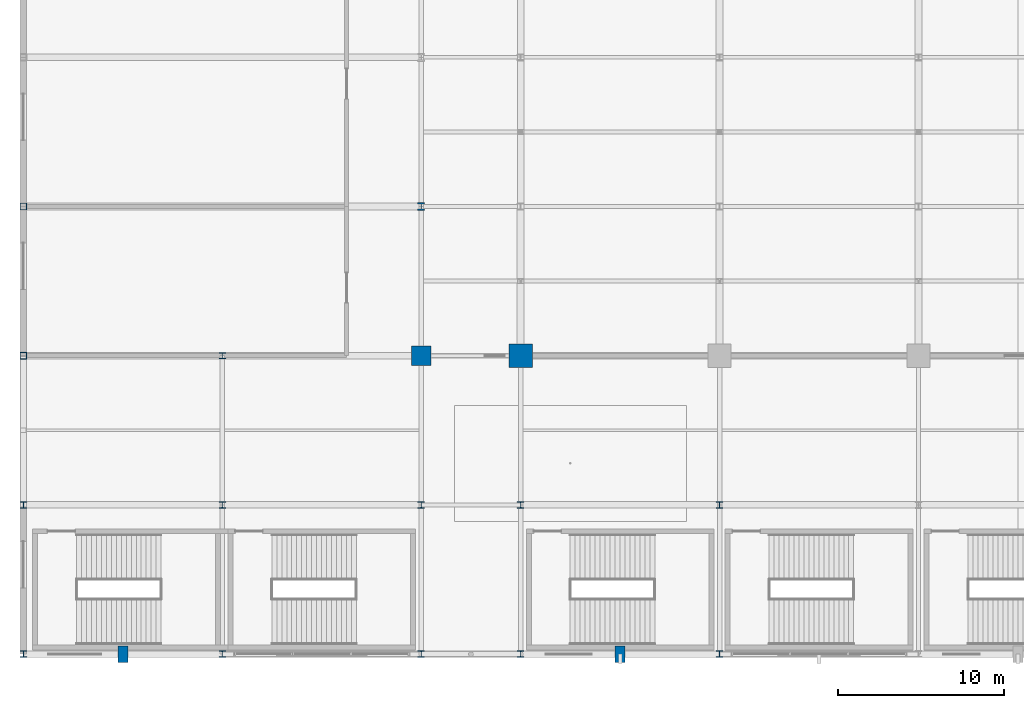
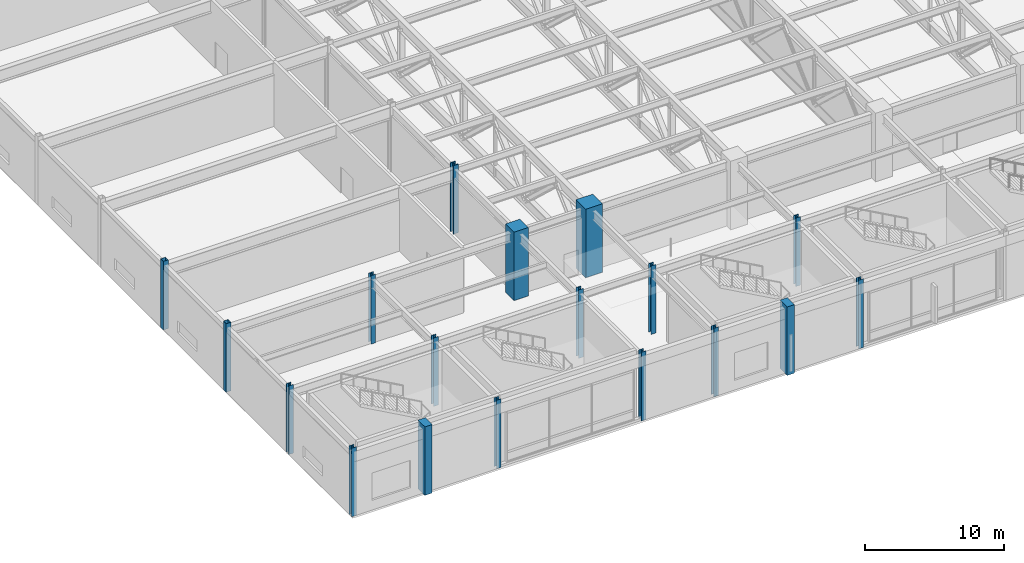
# One storey, part 1 of 108: 18 columns.
"""IFC4 building model written with IfcOpenShell, lengths in metres."""

import ifcopenshell
import ifcopenshell.guid

model = None  # the IFC model being written
_history = None  # IfcOwnerHistory: only IFC2X3 demands one
_inside = {}  # id of a spatial element -> (the spatial element, [elements in it])
_under = {}  # id of a project, library or spatial element -> (it, [spatial elements below it])
_declared = {}  # id of a project -> (the project, [libraries it declares])
_typed = {}  # id of a type object -> (the type object, [elements of that type])
_made_of = {}  # id of a material, layer set ... -> (it, [elements and type objects made of it])


def new_model(schema):
    """Start an empty IFC model of exactly this schema.

    Asked for "IFC4X3", IfcOpenShell would pick the latest addendum, in which some entities
    have other attributes; the version numbers below select the first issue.
    IFC2X3 requires an IfcOwnerHistory on every rooted entity: one is made here for all.
    """
    global model, _history
    if schema == "IFC4X3":
        model = ifcopenshell.file(schema_version=(4, 3, 0, 0))
    else:
        model = ifcopenshell.file(schema=schema)
    _inside.clear()
    _under.clear()
    _declared.clear()
    _typed.clear()
    _made_of.clear()
    _history = None
    if model.schema == "IFC2X3":
        org = make("IfcOrganization", Name="unknown")
        user = make(
            "IfcPersonAndOrganization",
            ThePerson=make("IfcPerson", FamilyName="unknown"),
            TheOrganization=org,
        )
        app = make(
            "IfcApplication",
            ApplicationDeveloper=org,
            Version="unknown",
            ApplicationFullName="unknown",
            ApplicationIdentifier="unknown",
        )
        _history = make(
            "IfcOwnerHistory",
            OwningUser=user,
            OwningApplication=app,
            ChangeAction="ADDED",
            CreationDate=0,
        )
    return model


def make(cls, **values):
    """One entity of the class cls with the attributes given. An attribute that is None is left unset."""
    return model.create_entity(
        cls, **{name: value for name, value in values.items() if value is not None}
    )


def rooted(cls, **values):
    """An entity with a GlobalId (a new one), such as an element, a storey or a relation."""
    return make(cls, GlobalId=ifcopenshell.guid.new(), OwnerHistory=_history, **values)


def si_unit(unit_type, name, prefix=None):
    """IfcSIUnit, for example si_unit("LENGTHUNIT", "METRE", prefix="MILLI")."""
    return make("IfcSIUnit", UnitType=unit_type, Prefix=prefix, Name=name)


def assignment(units):
    """IfcUnitAssignment: the units of a project."""
    return None if units is None else make("IfcUnitAssignment", Units=units)


def point(xyz):
    """IfcCartesianPoint."""
    return None if xyz is None else make("IfcCartesianPoint", Coordinates=xyz)


def direction(xyz):
    """IfcDirection."""
    return None if xyz is None else make("IfcDirection", DirectionRatios=xyz)


def frame(location, z_axis=None, x_axis=None):
    """IfcAxis2Placement3D, a coordinate frame: its origin and axes. An axis left out is left unset."""
    return make(
        "IfcAxis2Placement3D",
        Location=point(location),
        Axis=direction(z_axis),
        RefDirection=direction(x_axis),
    )


def frame_2d(location, x_axis=None):
    """IfcAxis2Placement2D, a coordinate frame in the plane: its origin and x axis."""
    return make(
        "IfcAxis2Placement2D", Location=point(location), RefDirection=direction(x_axis)
    )


def origin():
    """The frame at (0, 0, 0) with its axes left unset."""
    return frame((0.0, 0.0, 0.0))


def origin_2d():
    """The frame at (0, 0) in the plane with its x axis left unset."""
    return frame_2d((0.0, 0.0))


def place(relative_to, where):
    """IfcLocalPlacement: puts the frame where relative to a parent placement (None: the world)."""
    return make(
        "IfcLocalPlacement", PlacementRelTo=relative_to, RelativePlacement=where
    )


def context(
    kind, dimensions, precision=None, world=None, true_north=None, identifier=None
):
    """IfcGeometricRepresentationContext, for example the 3D "Model" context."""
    return make(
        "IfcGeometricRepresentationContext",
        ContextIdentifier=identifier,
        ContextType=kind,
        CoordinateSpaceDimension=dimensions,
        Precision=precision,
        WorldCoordinateSystem=world,
        TrueNorth=true_north,
    )


def subcontext(parent, identifier, kind, view, scale=None):
    """IfcGeometricRepresentationSubContext, for example "Body" below "Model"."""
    return make(
        "IfcGeometricRepresentationSubContext",
        ContextIdentifier=identifier,
        ContextType=kind,
        ParentContext=parent,
        TargetScale=scale,
        TargetView=view,
    )


def project(units=None, contexts=None):
    """IfcProject with its units and contexts."""
    return rooted(
        "IfcProject",
        Name="project",
        RepresentationContexts=contexts,
        UnitsInContext=assignment(units),
    )


def spatial(cls, under=None, at=None, **own):
    """A site, building, storey or space (cls), placed at a placement, below another one or the project."""
    s = rooted(cls, ObjectPlacement=at, **own)
    if under is not None:
        _under.setdefault(under.id(), (under, []))[1].append(s)
    return s


def profile(cls, at=None, kind="AREA", **sizes):
    """A parametric profile (cls). Its sizes go by their IFC names, for example OverallWidth=200.0."""
    return make(cls, ProfileType=kind, Position=at, **sizes)


def rectangle(**sizes):
    """IfcRectangleProfileDef."""
    return profile("IfcRectangleProfileDef", **sizes)


def hollow_rectangle(**sizes):
    """IfcRectangleHollowProfileDef."""
    return profile("IfcRectangleHollowProfileDef", **sizes)


def i_section(**sizes):
    """IfcIShapeProfileDef."""
    return profile("IfcIShapeProfileDef", **sizes)


def extrude(swept, where, along, depth):
    """IfcExtrudedAreaSolid: the profile swept, set in the frame where, extruded along a direction by depth."""
    return make(
        "IfcExtrudedAreaSolid",
        SweptArea=swept,
        Position=where,
        ExtrudedDirection=direction(along),
        Depth=depth,
    )


def shape(context_of_items, identifier, shape_type, items):
    """IfcShapeRepresentation: the items that make up one representation, for example the "Body"."""
    return make(
        "IfcShapeRepresentation",
        ContextOfItems=context_of_items,
        RepresentationIdentifier=identifier,
        RepresentationType=shape_type,
        Items=items,
    )


def material(Name=None, Category=None):
    """IfcMaterial."""
    return make("IfcMaterial", Name=Name, Category=Category)


def material_profile(
    of_material, cross_section, Name=None, Category=None, Priority=None
):
    """IfcMaterialProfile: a cross section and its material."""
    return make(
        "IfcMaterialProfile",
        Name=Name,
        Material=of_material,
        Profile=cross_section,
        Priority=Priority,
        Category=Category,
    )


def profile_set(profiles, Name=None, composite=None):
    """IfcMaterialProfileSet."""
    return make(
        "IfcMaterialProfileSet",
        Name=Name,
        MaterialProfiles=profiles,
        CompositeProfile=composite,
    )


def made_of(thing, what):
    """Note that an element or type object is made of a material, layer set ...; save() writes the relation."""
    if what is not None:
        _made_of.setdefault(what.id(), (what, []))[1].append(thing)
    return thing


def type_object(cls, material=None, **own):
    """A type object (cls), such as IfcWallType, which elements share."""
    return made_of(rooted(cls, **own), material)


def element(
    cls,
    number,
    at=None,
    inside=None,
    cuts=None,
    type_object=None,
    material=None,
    context=None,
    identifier="Body",
    shape_type=None,
    held_by="IfcProductDefinitionShape",
    body=None,
    shapes=None,
    **own,
):
    """One element of the class cls, such as IfcWall. Its Tag is "e" and its number.

    at: its placement. inside: the storey or other place that contains it. cuts: it is an
    opening in that element (IfcRelVoidsElement). A single representation is given by context,
    identifier, shape_type and body (its items); several are given by shapes. held_by: the class
    of the entity that holds the representations. save() writes the other relations.
    """
    e = rooted(cls, Tag="e%d" % number, ObjectPlacement=at, **own)
    if body is not None:
        shapes = [shape(context, identifier, shape_type, body)]
    if shapes is not None:
        e.Representation = make(held_by, Representations=shapes)
    if inside is not None:
        _inside.setdefault(inside.id(), (inside, []))[1].append(e)
    if cuts is not None:
        rooted(
            "IfcRelVoidsElement", RelatingBuildingElement=cuts, RelatedOpeningElement=e
        )
    if type_object is not None:
        _typed.setdefault(type_object.id(), (type_object, []))[1].append(e)
    return made_of(e, material)


def aggregate(whole, parts):
    """IfcRelAggregates: a whole, such as a stair, and the parts it consists of."""
    return rooted("IfcRelAggregates", RelatingObject=whole, RelatedObjects=parts)


def save(model, path):
    """Write the relations noted so far, then the file.

    IfcRelAggregates (storeys below a building ...), IfcRelContainedInSpatialStructure (elements
    in a storey), IfcRelDefinesByType, IfcRelAssociatesMaterial and IfcRelDeclares: one each for
    every whole, place, type object, material and project.
    """
    for whole, parts in _under.values():
        aggregate(whole, parts)
    for where, things in _inside.values():
        rooted(
            "IfcRelContainedInSpatialStructure",
            RelatedElements=things,
            RelatingStructure=where,
        )
    for kind, things in _typed.values():
        rooted("IfcRelDefinesByType", RelatedObjects=things, RelatingType=kind)
    for what, things in _made_of.values():
        rooted("IfcRelAssociatesMaterial", RelatedObjects=things, RelatingMaterial=what)
    for by, libraries in _declared.values():
        rooted("IfcRelDeclares", RelatingContext=by, RelatedDefinitions=libraries)
    model.write(path)


model = new_model("IFC4")

# Units and contexts
model_context = context("Model", 3, precision=1e-05, world=origin(), true_north=direction((0.0, 1.0)))
body_context = subcontext(model_context, "Body", "Model", "MODEL_VIEW")
ifc_project = project(units=[si_unit("LENGTHUNIT", "METRE"), si_unit("AREAUNIT", "SQUARE_METRE"), si_unit("VOLUMEUNIT", "CUBIC_METRE"), si_unit("PLANEANGLEUNIT", "RADIAN"), si_unit("MASSUNIT", "GRAM", prefix="KILO")], contexts=[model_context])

# Site, building, storey
site_placement = place(None, origin())
site = spatial("IfcSite", under=ifc_project, at=site_placement, CompositionType="ELEMENT")
building_placement = place(site_placement, origin())
building = spatial("IfcBuilding", under=site, at=building_placement, Name="Kaldorvane Square Convention Centre", CompositionType="ELEMENT")
storey_placement = place(building_placement, frame((0.0, 0.0, 12.0)))
storey = spatial("IfcBuildingStorey", under=building, at=storey_placement, Name="L02", CompositionType="ELEMENT", Elevation=12.0)

# Columns
ifc_material_1 = material(Name="Steel ASTM A500 Gr. C", Category="steel")
ifc_material_profile_1 = material_profile(ifc_material_1, hollow_rectangle(XDim=0.406402587890625, YDim=0.406402587890625, WallThickness=0.014801025390625, at=origin_2d()), Name="HSS16X16X5/8")
ifc_profile_set_1 = profile_set([ifc_material_profile_1], Name="Steel ASTM A500 Gr. C")
column_type_1 = type_object("IfcColumnType", Name="COL-HSS-16", PredefinedType="COLUMN", material=ifc_profile_set_1)
for number, where, z_axis, x_axis, name in (
    (1, (0.0, 18.0, 0.0), (0.0, 0.0, 1.0), (1.0, 0.0, 0.0), "Column SC-14 (L02)"),
    (2, (0.0, 27.0, 0.0), (0.0, 0.0, 1.0), (1.0, 0.0, 0.0), "Column SC-14 (L02)"),
):
    element("IfcColumn", number, at=place(storey_placement, frame(where, z_axis=z_axis, x_axis=x_axis)), inside=storey, type_object=column_type_1, Name=name, PredefinedType="COLUMN", context=body_context, shape_type="SweptSolid", body=[
        extrude(hollow_rectangle(XDim=0.406402587890625, YDim=0.406402587890625, WallThickness=0.014801025390625, at=origin_2d()), origin(), (0.0, 0.0, 1.0), 6.0),
    ])
ifc_material_2 = material(Name="Concrete f'c = 55 MPa (Normalweight)", Category="concrete")
ifc_material_profile_2 = material_profile(ifc_material_2, rectangle(XDim=1.1999969482421875, YDim=1.1999969482421875, at=origin_2d()), Name="RC1200X1200")
ifc_profile_set_2 = profile_set([ifc_material_profile_2], Name="Concrete f'c = 55 MPa (Normalweight)")
column_type_2 = type_object("IfcColumnType", Name="COL-MEGA-1200", PredefinedType="COLUMN", material=ifc_profile_set_2)
column_1_placement = place(storey_placement, frame((24.0, 18.0, 0.0), z_axis=(0.0, 0.0, 1.0), x_axis=(1.0, 0.0, 0.0)))
element("IfcColumn", 3, at=column_1_placement, inside=storey, type_object=column_type_2, Name="Column MC-02 (L02)", PredefinedType="COLUMN", context=body_context, shape_type="SweptSolid", body=[
    extrude(rectangle(XDim=1.1999969482421875, YDim=1.1999969482421875, at=origin_2d()), origin(), (0.0, 0.0, 1.0), 6.0),
])
ifc_material_profile_3 = material_profile(ifc_material_2, rectangle(XDim=1.399993896484375, YDim=1.399993896484375, at=origin_2d()), Name="RC1400X1400")
ifc_profile_set_3 = profile_set([ifc_material_profile_3], Name="Concrete f'c = 55 MPa (Normalweight)")
column_type_3 = type_object("IfcColumnType", Name="COL-MEGA-1400", PredefinedType="COLUMN", material=ifc_profile_set_3)
column_2_placement = place(storey_placement, frame((30.0, 18.0, 0.0), z_axis=(0.0, 0.0, 1.0), x_axis=(1.0, 0.0, 0.0)))
element("IfcColumn", 4, at=column_2_placement, inside=storey, type_object=column_type_3, Name="Column MC-01 (L02)", PredefinedType="COLUMN", context=body_context, shape_type="SweptSolid", body=[
    extrude(rectangle(XDim=1.399993896484375, YDim=1.399993896484375, at=origin_2d()), origin(), (0.0, 0.0, 1.0), 6.0),
])
ifc_material_3 = material(Name="Steel ASTM A992 Gr. 50", Category="steel")
ifc_material_profile_4 = material_profile(ifc_material_3, i_section(OverallWidth=0.393707275390625, OverallDepth=0.375396728515625, WebThickness=0.017303466796875, FlangeThickness=0.0276947021484375, FilletRadius=0.0305023193359375, at=origin_2d()), Name="W14X145")
ifc_profile_set_4 = profile_set([ifc_material_profile_4], Name="Steel ASTM A992 Gr. 50")
column_type_4 = type_object("IfcColumnType", Name="COL-STL-145", PredefinedType="COLUMN", material=ifc_profile_set_4)
for number, where, z_axis, x_axis, name in (
    (5, (0.0, 0.0, 0.0), (0.0, 0.0, 1.0), (1.0, 0.0, 0.0), "Column SC-10 (L02)"),
    (6, (0.0, 9.0, 0.0), (0.0, 0.0, 1.0), (1.0, 0.0, 0.0), "Column SC-10 (L02)"),
    (7, (12.0, 0.0, 0.0), (0.0, 0.0, 1.0), (1.0, 0.0, 0.0), "Column SC-10 (L02)"),
    (8, (12.0, 9.0, 0.0), (0.0, 0.0, 1.0), (1.0, 0.0, 0.0), "Column SC-10 (L02)"),
    (9, (12.0, 18.0, 0.0), (0.0, 0.0, 1.0), (1.0, 0.0, 0.0), "Column SC-10 (L02)"),
    (10, (24.0, 0.0, 0.0), (0.0, 0.0, 1.0), (1.0, 0.0, 0.0), "Column SC-10 (L02)"),
    (11, (24.0, 9.0, 0.0), (0.0, 0.0, 1.0), (1.0, 0.0, 0.0), "Column SC-10 (L02)"),
    (12, (30.0, 0.0, 0.0), (0.0, 0.0, 1.0), (1.0, 0.0, 0.0), "Column SC-10 (L02)"),
    (13, (30.0, 9.0, 0.0), (0.0, 0.0, 1.0), (1.0, 0.0, 0.0), "Column SC-10 (L02)"),
    (14, (42.0, 0.0, 0.0), (0.0, 0.0, 1.0), (1.0, 0.0, 0.0), "Column SC-10 (L02)"),
    (15, (42.0, 9.0, 0.0), (0.0, 0.0, 1.0), (1.0, 0.0, 0.0), "Column SC-10 (L02)"),
):
    element("IfcColumn", number, at=place(storey_placement, frame(where, z_axis=z_axis, x_axis=x_axis)), inside=storey, type_object=column_type_4, Name=name, PredefinedType="COLUMN", context=body_context, shape_type="SweptSolid", body=[
        extrude(i_section(OverallWidth=0.393707275390625, OverallDepth=0.375396728515625, WebThickness=0.017303466796875, FlangeThickness=0.0276947021484375, FilletRadius=0.0305023193359375, at=origin_2d()), origin(), (0.0, 0.0, 1.0), 6.0),
    ])
ifc_material_profile_5 = material_profile(ifc_material_3, i_section(OverallWidth=0.424102783203125, OverallDepth=0.4741973876953125, WebThickness=0.047607421875, FlangeThickness=0.0771026611328125, FilletRadius=0.0305023193359375, at=origin_2d()), Name="W14X426")
ifc_profile_set_5 = profile_set([ifc_material_profile_5], Name="Steel ASTM A992 Gr. 50")
column_type_5 = type_object("IfcColumnType", Name="COL-STL-426", PredefinedType="COLUMN", material=ifc_profile_set_5)
column_3_placement = place(storey_placement, frame((24.0, 27.0, 0.0), z_axis=(0.0, 0.0, 1.0), x_axis=(1.0, 0.0, 0.0)))
element("IfcColumn", 16, at=column_3_placement, inside=storey, type_object=column_type_5, Name="Column SC-04 (L02)", PredefinedType="COLUMN", context=body_context, shape_type="SweptSolid", body=[
    extrude(i_section(OverallWidth=0.424102783203125, OverallDepth=0.4741973876953125, WebThickness=0.047607421875, FlangeThickness=0.0771026611328125, FilletRadius=0.0305023193359375, at=origin_2d()), origin(), (0.0, 0.0, 1.0), 6.0),
])
ifc_material_profile_6 = material_profile(ifc_material_2, rectangle(XDim=0.600006103515625, YDim=1.0, at=origin_2d()), Name="PIL1000X600")
ifc_profile_set_6 = profile_set([ifc_material_profile_6], Name="Concrete f'c = 55 MPa (Normalweight)")
column_type_6 = type_object("IfcColumnType", Name="PIL-BRUT-1000", PredefinedType="PILASTER", material=ifc_profile_set_6)
for number, where, z_axis, x_axis, name in (
    (17, (6.0, 0.0, 0.0), (0.0, 0.0, 1.0), (1.0, 0.0, 0.0), "Brutalist Colonnade Pilaster (L02)"),
    (18, (36.0, 0.0, 0.0), (0.0, 0.0, 1.0), (1.0, 0.0, 0.0), "Brutalist Colonnade Pilaster (L02)"),
):
    element("IfcColumn", number, at=place(storey_placement, frame(where, z_axis=z_axis, x_axis=x_axis)), inside=storey, type_object=column_type_6, Name=name, PredefinedType="PILASTER", context=body_context, shape_type="SweptSolid", body=[
        extrude(rectangle(XDim=0.600006103515625, YDim=1.0, at=origin_2d()), origin(), (0.0, 0.0, 1.0), 6.0),
    ])

save(model, "model.ifc")
